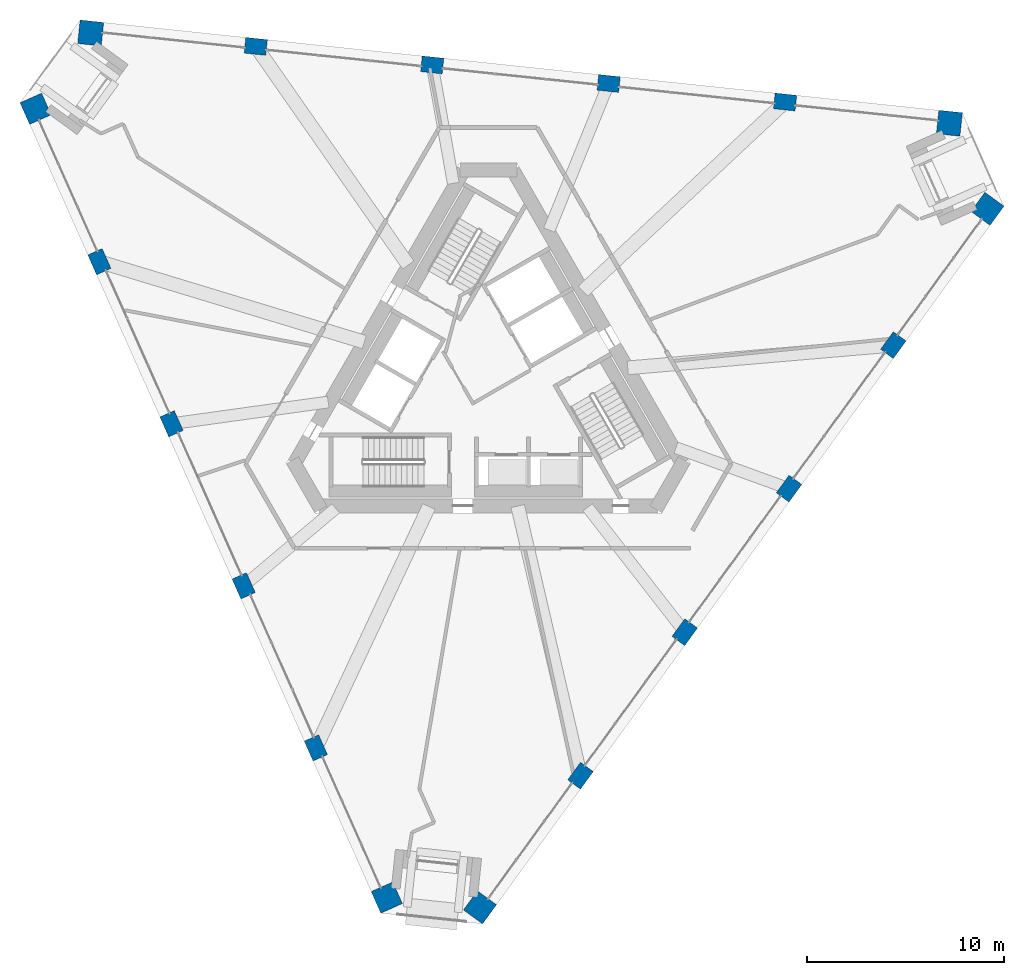
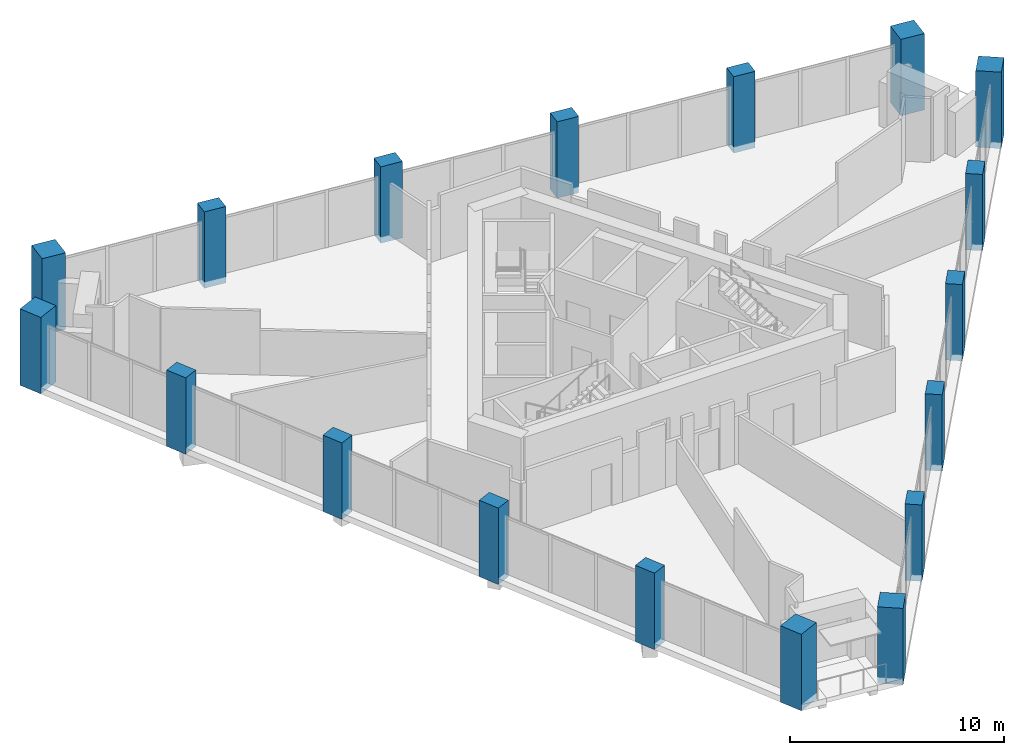
# One storey, part 1 of 15: 18 columns.
"""IFC4 building model written with IfcOpenShell, lengths in metres."""

from ifc_helpers import new_model, si_unit, direction, frame, origin, origin_2d, place, context, subcontext, project, spatial, rectangle, extrude, material, material_profile, profile_set, type_object, element, save


model = new_model("IFC4")

# Units and contexts
model_context = context("Model", 3, precision=1e-05, world=origin(), true_north=direction((0.0, 1.0)))
body_context = subcontext(model_context, "Body", "Model", "MODEL_VIEW")
ifc_project = project(units=[si_unit("LENGTHUNIT", "METRE"), si_unit("AREAUNIT", "SQUARE_METRE"), si_unit("VOLUMEUNIT", "CUBIC_METRE"), si_unit("PLANEANGLEUNIT", "RADIAN"), si_unit("MASSUNIT", "GRAM", prefix="KILO")], contexts=[model_context])

# Site, building, storey
site_placement = place(None, origin())
site = spatial("IfcSite", under=ifc_project, at=site_placement, CompositionType="ELEMENT")
building_placement = place(site_placement, origin())
building = spatial("IfcBuilding", under=site, at=building_placement, Name="Tramontana Tower", CompositionType="ELEMENT")
storey_placement = place(building_placement, frame((0.0, 0.0, 237.199951171875)))
storey = spatial("IfcBuildingStorey", under=building, at=storey_placement, Name="L55", CompositionType="ELEMENT", Elevation=237.199951171875)

# Columns
ifc_material_1 = material(Name="Concrete 55 MPa", Category="concrete")
ifc_material_profile_1 = material_profile(ifc_material_1, rectangle(XDim=1.199951171875, YDim=1.199951171875, at=origin_2d()), Name="Mega column 1200X1200 55 MPa")
ifc_profile_set_1 = profile_set([ifc_material_profile_1], Name="Concrete 55 MPa")
column_type_1 = type_object("IfcColumnType", Name="Mega column 1200X1200 55 MPa", PredefinedType="COLUMN", material=ifc_profile_set_1)
for number, where, z_axis, x_axis, name in (
    (1, (-22.98291015625, 13.758056640625, -0.349853515625), (0.0, 0.0, 1.0), (0.406736643076, -0.913545457643, 0.0), "Mega column C6K1 L55"),
    (2, (-5.154296875, -26.28564453125, -0.349853515625), (0.0, 0.0, 1.0), (0.406736643076, -0.913545457643, 0.0), "Mega column C6K2 L55"),
    (3, (-0.42333984375, -26.782958984375, -0.349853515625), (0.0, 0.0, 1.0), (0.587785252292, 0.809016994375, 0.0), "Mega column C6K3 L55"),
    (4, (25.341064453125, 8.678955078125, -0.349853515625), (0.0, 0.0, 1.0), (0.587785252292, 0.809016994375, 0.0), "Mega column C6K4 L55"),
    (5, (23.40625, 13.024658203125, -0.349853515625), (0.0, 0.0, 1.0), (-0.994521895368, 0.104528463268, 0.0), "Mega column C6K5 L55"),
    (6, (-20.186767578125, 17.6064453125, -0.349853515625), (0.0, 0.0, 1.0), (-0.994521895368, 0.104528463268, 0.0), "Mega column C6K6 L55"),
):
    element("IfcColumn", number, at=place(storey_placement, frame(where, z_axis=z_axis, x_axis=x_axis)), inside=storey, type_object=column_type_1, Name=name, PredefinedType="COLUMN", context=body_context, shape_type="SweptSolid", body=[
        extrude(rectangle(XDim=1.199951171875, YDim=1.199951171875, at=origin_2d()), origin(), (0.0, 0.0, 1.0), 4.349853515625),
    ])
ifc_material_2 = material(Name="Concrete 55 MPa", Category="concrete")
ifc_material_profile_2 = material_profile(ifc_material_2, rectangle(XDim=1.10009765625, YDim=0.800048828125, at=origin_2d()), Name="Pier column 1100X800 55 MPa")
ifc_profile_set_2 = profile_set([ifc_material_profile_2], Name="Concrete 55 MPa")
column_type_2 = type_object("IfcColumnType", Name="Pier column 1100X800 55 MPa", PredefinedType="COLUMN", material=ifc_profile_set_2)
for number, where, z_axis, x_axis, name in (
    (7, (-19.746337890625, 5.996826171875, -0.349853515625), (0.0, 0.0, 1.0), (0.406736643076, -0.913545457643, 0.0), "Pier column C6F01 L55"),
    (8, (-16.0830078125, -2.231201171875, -0.349853515625), (0.0, 0.0, 1.0), (0.406736643076, -0.913545457643, 0.0), "Pier column C6F02 L55"),
    (9, (-12.419677734375, -10.458984375, -0.349853515625), (0.0, 0.0, 1.0), (0.406736643076, -0.913545457643, 0.0), "Pier column C6F03 L55"),
    (10, (-8.75634765625, -18.68701171875, -0.349853515625), (0.0, 0.0, 1.0), (0.406736643076, -0.913545457643, 0.0), "Pier column C6F04 L55"),
    (11, (4.6796875, -20.099365234375, -0.349853515625), (0.0, 0.0, 1.0), (0.587785252292, 0.809016994375, 0.0), "Pier column C6F05 L55"),
    (12, (9.9736328125, -12.812744140625, -0.349853515625), (0.0, 0.0, 1.0), (0.587785252292, 0.809016994375, 0.0), "Pier column C6F06 L55"),
    (13, (15.267578125, -5.526123046875, -0.349853515625), (0.0, 0.0, 1.0), (0.587785252292, 0.809016994375, 0.0), "Pier column C6F07 L55"),
    (14, (20.5615234375, 1.76025390625, -0.349853515625), (0.0, 0.0, 1.0), (0.587785252292, 0.809016994375, 0.0), "Pier column C6F08 L55"),
    (15, (15.066650390625, 14.102294921875, -0.349853515625), (0.0, 0.0, 1.0), (-0.994521895368, 0.104528463268, 0.0), "Pier column C6F09 L55"),
    (16, (6.109375, 15.043701171875, -0.349853515625), (0.0, 0.0, 1.0), (-0.994521895368, 0.104528463268, 0.0), "Pier column C6F10 L55"),
    (17, (-2.847900390625, 15.9853515625, -0.349853515625), (0.0, 0.0, 1.0), (-0.994521895368, 0.104528463268, 0.0), "Pier column C6F11 L55"),
    (18, (-11.805419921875, 16.9267578125, -0.349853515625), (0.0, 0.0, 1.0), (-0.994521895368, 0.104528463268, 0.0), "Pier column C6F12 L55"),
):
    element("IfcColumn", number, at=place(storey_placement, frame(where, z_axis=z_axis, x_axis=x_axis)), inside=storey, type_object=column_type_2, Name=name, PredefinedType="COLUMN", context=body_context, shape_type="SweptSolid", body=[
        extrude(rectangle(XDim=1.10009765625, YDim=0.800048828125, at=origin_2d()), origin(), (0.0, 0.0, 1.0), 4.349853515625),
    ])

save(model, "model.ifc")
